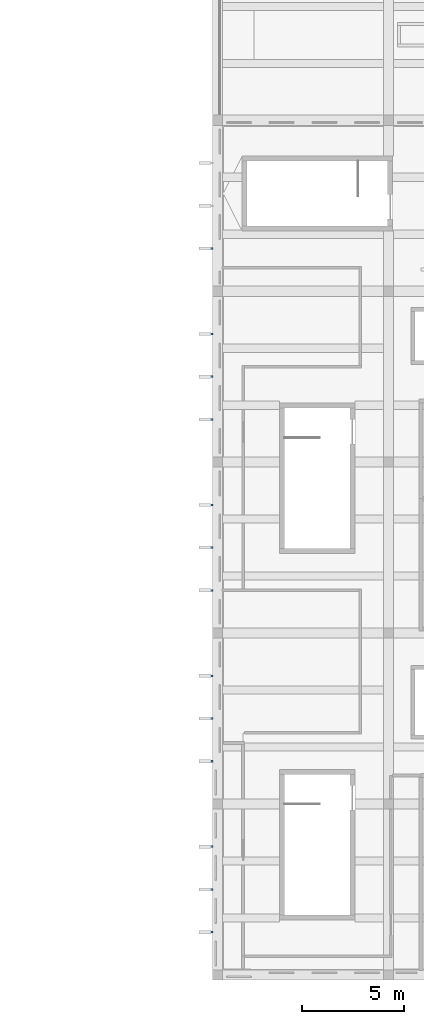
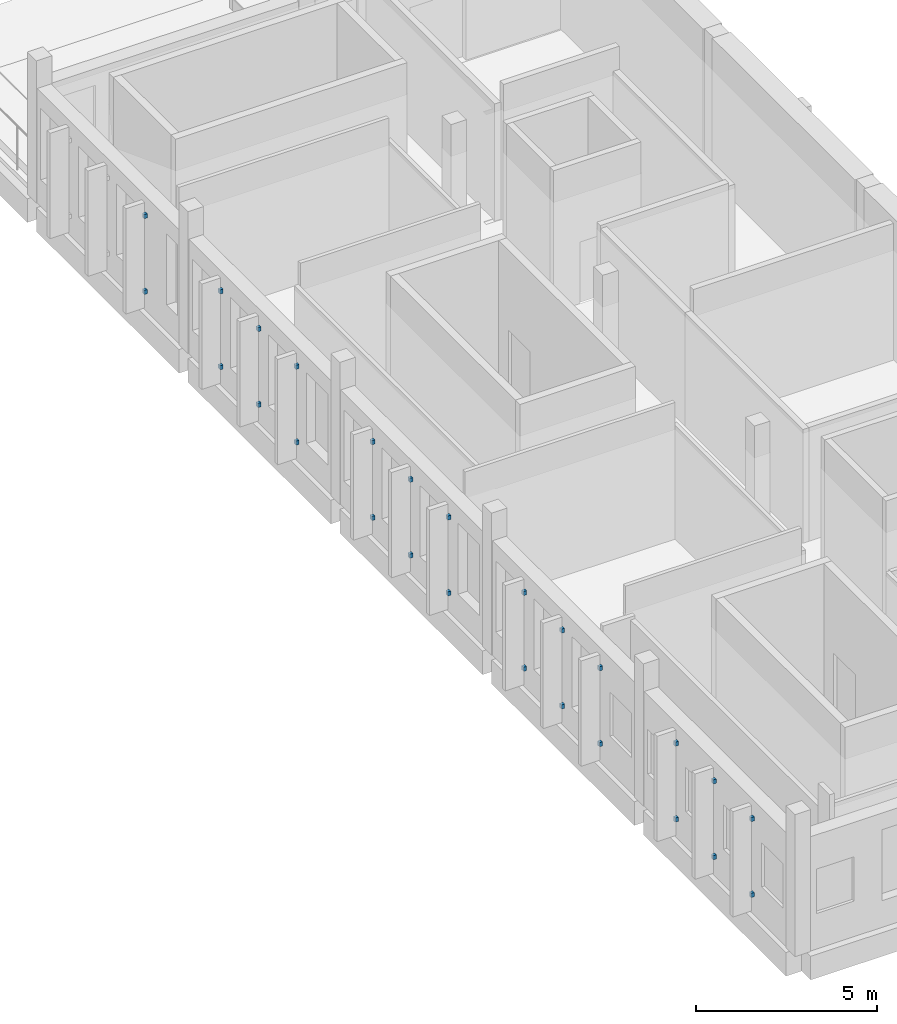
# One storey, part 32 of 47: 26 discrete accessories.
"""IFC4 building model written with IfcOpenShell, lengths in metres."""

from ifc_helpers import new_model, si_unit, direction, frame, origin, origin_2d, place, context, subcontext, project, spatial, rectangle, extrude, material, layer, layer_set, type_object, element, save


model = new_model("IFC4")

# Units and contexts
model_context = context("Model", 3, precision=1e-05, world=origin(), true_north=direction((0.0, 1.0)))
body_context = subcontext(model_context, "Body", "Model", "MODEL_VIEW")
ifc_project = project(units=[si_unit("LENGTHUNIT", "METRE"), si_unit("AREAUNIT", "SQUARE_METRE"), si_unit("VOLUMEUNIT", "CUBIC_METRE"), si_unit("PLANEANGLEUNIT", "RADIAN"), si_unit("MASSUNIT", "GRAM", prefix="KILO")], contexts=[model_context])

# Site, building, storey
site_placement = place(None, origin())
site = spatial("IfcSite", under=ifc_project, at=site_placement, CompositionType="ELEMENT")
building_placement = place(site_placement, origin())
building = spatial("IfcBuilding", under=site, at=building_placement, Name="Larchfold Concert Hall", CompositionType="ELEMENT")
storey_placement = place(building_placement, frame((0.0, 0.0, 24.0)))
storey = spatial("IfcBuildingStorey", under=building, at=storey_placement, Name="L05", CompositionType="ELEMENT", Elevation=24.0)

# Discrete accessories
ifc_material = material(Name="Steel S355 galvanised bracket", Category="steel")
ifc_layer = layer(ifc_material, 0.10009765625)
ifc_layer_set = layer_set([ifc_layer], Name="Steel S355 galvanised bracket")
discrete_accessory_type = type_object("IfcDiscreteAccessoryType", Name="Fin support bracket", PredefinedType="BRACKET", material=ifc_layer_set)
for number, where, z_axis, x_axis, name in (
    (1, (84.3251953125, 36.300048828125, 0.6298828125), (0.0, 0.0, 1.0), (-1.0, 0.0, 0.0), "Fin bracket FN-L05-001-1"),
    (2, (84.3251953125, 36.300048828125, 3.18994140625), (0.0, 0.0, 1.0), (-1.0, 0.0, 0.0), "Fin bracket FN-L05-001-2"),
    (3, (84.3251953125, 27.89990234375, 0.6298828125), (0.0, 0.0, 1.0), (-1.0, 0.0, 0.0), "Fin bracket FN-L05-004-1"),
    (4, (84.3251953125, 27.89990234375, 3.18994140625), (0.0, 0.0, 1.0), (-1.0, 0.0, 0.0), "Fin bracket FN-L05-004-2"),
    (5, (84.3251953125, 30.0, 0.6298828125), (0.0, 0.0, 1.0), (-1.0, 0.0, 0.0), "Fin bracket FN-L05-005-1"),
    (6, (84.3251953125, 30.0, 3.18994140625), (0.0, 0.0, 1.0), (-1.0, 0.0, 0.0), "Fin bracket FN-L05-005-2"),
    (7, (84.3251953125, 32.10009765625, 0.6298828125), (0.0, 0.0, 1.0), (-1.0, 0.0, 0.0), "Fin bracket FN-L05-006-1"),
    (8, (84.3251953125, 32.10009765625, 3.18994140625), (0.0, 0.0, 1.0), (-1.0, 0.0, 0.0), "Fin bracket FN-L05-006-2"),
    (9, (84.3251953125, 19.5, 0.6298828125), (0.0, 0.0, 1.0), (-1.0, 0.0, 0.0), "Fin bracket FN-L05-007-1"),
    (10, (84.3251953125, 19.5, 3.18994140625), (0.0, 0.0, 1.0), (-1.0, 0.0, 0.0), "Fin bracket FN-L05-007-2"),
    (11, (84.3251953125, 21.60009765625, 0.6298828125), (0.0, 0.0, 1.0), (-1.0, 0.0, 0.0), "Fin bracket FN-L05-008-1"),
    (12, (84.3251953125, 21.60009765625, 3.18994140625), (0.0, 0.0, 1.0), (-1.0, 0.0, 0.0), "Fin bracket FN-L05-008-2"),
    (13, (84.3251953125, 23.699951171875, 0.6298828125), (0.0, 0.0, 1.0), (-1.0, 0.0, 0.0), "Fin bracket FN-L05-009-1"),
    (14, (84.3251953125, 23.699951171875, 3.18994140625), (0.0, 0.0, 1.0), (-1.0, 0.0, 0.0), "Fin bracket FN-L05-009-2"),
    (15, (84.3251953125, 11.10009765625, 0.6298828125), (0.0, 0.0, 1.0), (-1.0, 0.0, 0.0), "Fin bracket FN-L05-010-1"),
    (16, (84.3251953125, 11.10009765625, 3.18994140625), (0.0, 0.0, 1.0), (-1.0, 0.0, 0.0), "Fin bracket FN-L05-010-2"),
    (17, (84.3251953125, 13.199951171875, 0.6298828125), (0.0, 0.0, 1.0), (-1.0, 0.0, 0.0), "Fin bracket FN-L05-011-1"),
    (18, (84.3251953125, 13.199951171875, 3.18994140625), (0.0, 0.0, 1.0), (-1.0, 0.0, 0.0), "Fin bracket FN-L05-011-2"),
    (19, (84.3251953125, 15.300048828125, 0.6298828125), (0.0, 0.0, 1.0), (-1.0, 0.0, 0.0), "Fin bracket FN-L05-012-1"),
    (20, (84.3251953125, 15.300048828125, 3.18994140625), (0.0, 0.0, 1.0), (-1.0, 0.0, 0.0), "Fin bracket FN-L05-012-2"),
    (21, (84.3251953125, 2.699951171875, 0.6298828125), (0.0, 0.0, 1.0), (-1.0, 0.0, 0.0), "Fin bracket FN-L05-013-1"),
    (22, (84.3251953125, 2.699951171875, 3.18994140625), (0.0, 0.0, 1.0), (-1.0, 0.0, 0.0), "Fin bracket FN-L05-013-2"),
    (23, (84.3251953125, 4.800048828125, 0.6298828125), (0.0, 0.0, 1.0), (-1.0, 0.0, 0.0), "Fin bracket FN-L05-014-1"),
    (24, (84.3251953125, 4.800048828125, 3.18994140625), (0.0, 0.0, 1.0), (-1.0, 0.0, 0.0), "Fin bracket FN-L05-014-2"),
    (25, (84.3251953125, 6.89990234375, 0.6298828125), (0.0, 0.0, 1.0), (-1.0, 0.0, 0.0), "Fin bracket FN-L05-015-1"),
    (26, (84.3251953125, 6.89990234375, 3.18994140625), (0.0, 0.0, 1.0), (-1.0, 0.0, 0.0), "Fin bracket FN-L05-015-2"),
):
    element("IfcDiscreteAccessory", number, at=place(storey_placement, frame(where, z_axis=z_axis, x_axis=x_axis)), inside=storey, type_object=discrete_accessory_type, Name=name, PredefinedType="BRACKET", context=body_context, shape_type="SweptSolid", body=[
        extrude(rectangle(XDim=0.10009765625, YDim=0.10009765625, at=origin_2d()), origin(), (0.0, 0.0, 1.0), 0.139892578125),
    ])

save(model, "model.ifc")
